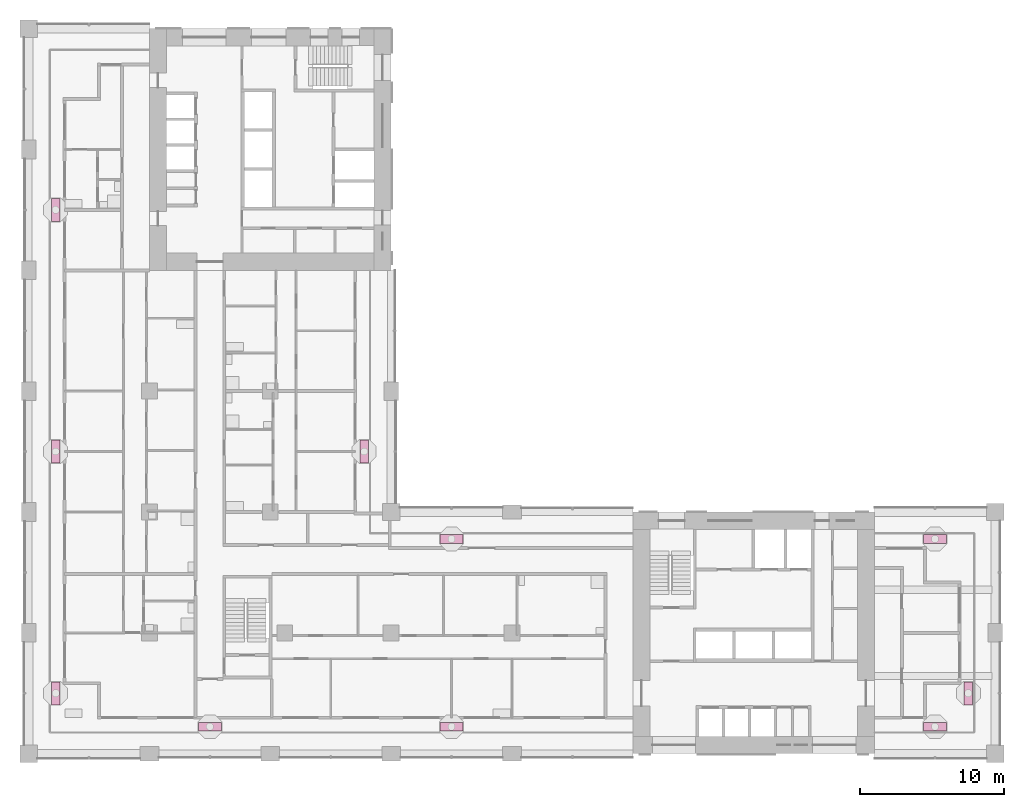
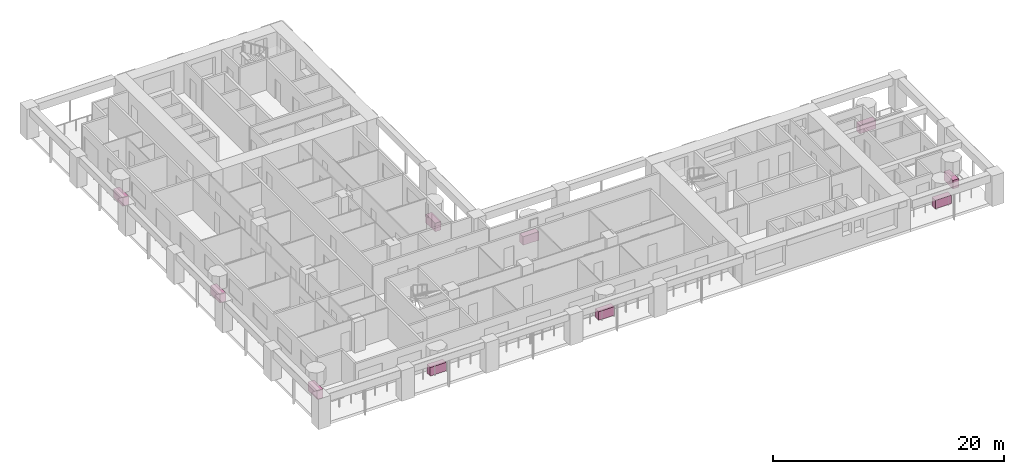
# One storey, part 17 of 18: 10 furniture elements.
"""IFC4 building model written with IfcOpenShell, lengths in metres."""

import ifcopenshell
import ifcopenshell.guid

model = None  # the IFC model being written
_history = None  # IfcOwnerHistory: only IFC2X3 demands one
_inside = {}  # id of a spatial element -> (the spatial element, [elements in it])
_under = {}  # id of a project, library or spatial element -> (it, [spatial elements below it])
_declared = {}  # id of a project -> (the project, [libraries it declares])
_typed = {}  # id of a type object -> (the type object, [elements of that type])
_made_of = {}  # id of a material, layer set ... -> (it, [elements and type objects made of it])


def new_model(schema):
    """Start an empty IFC model of exactly this schema.

    Asked for "IFC4X3", IfcOpenShell would pick the latest addendum, in which some entities
    have other attributes; the version numbers below select the first issue.
    IFC2X3 requires an IfcOwnerHistory on every rooted entity: one is made here for all.
    """
    global model, _history
    if schema == "IFC4X3":
        model = ifcopenshell.file(schema_version=(4, 3, 0, 0))
    else:
        model = ifcopenshell.file(schema=schema)
    _inside.clear()
    _under.clear()
    _declared.clear()
    _typed.clear()
    _made_of.clear()
    _history = None
    if model.schema == "IFC2X3":
        org = make("IfcOrganization", Name="unknown")
        user = make(
            "IfcPersonAndOrganization",
            ThePerson=make("IfcPerson", FamilyName="unknown"),
            TheOrganization=org,
        )
        app = make(
            "IfcApplication",
            ApplicationDeveloper=org,
            Version="unknown",
            ApplicationFullName="unknown",
            ApplicationIdentifier="unknown",
        )
        _history = make(
            "IfcOwnerHistory",
            OwningUser=user,
            OwningApplication=app,
            ChangeAction="ADDED",
            CreationDate=0,
        )
    return model


def make(cls, **values):
    """One entity of the class cls with the attributes given. An attribute that is None is left unset."""
    return model.create_entity(
        cls, **{name: value for name, value in values.items() if value is not None}
    )


def rooted(cls, **values):
    """An entity with a GlobalId (a new one), such as an element, a storey or a relation."""
    return make(cls, GlobalId=ifcopenshell.guid.new(), OwnerHistory=_history, **values)


def si_unit(unit_type, name, prefix=None):
    """IfcSIUnit, for example si_unit("LENGTHUNIT", "METRE", prefix="MILLI")."""
    return make("IfcSIUnit", UnitType=unit_type, Prefix=prefix, Name=name)


def assignment(units):
    """IfcUnitAssignment: the units of a project."""
    return None if units is None else make("IfcUnitAssignment", Units=units)


def point(xyz):
    """IfcCartesianPoint."""
    return None if xyz is None else make("IfcCartesianPoint", Coordinates=xyz)


def direction(xyz):
    """IfcDirection."""
    return None if xyz is None else make("IfcDirection", DirectionRatios=xyz)


def frame(location, z_axis=None, x_axis=None):
    """IfcAxis2Placement3D, a coordinate frame: its origin and axes. An axis left out is left unset."""
    return make(
        "IfcAxis2Placement3D",
        Location=point(location),
        Axis=direction(z_axis),
        RefDirection=direction(x_axis),
    )


def frame_2d(location, x_axis=None):
    """IfcAxis2Placement2D, a coordinate frame in the plane: its origin and x axis."""
    return make(
        "IfcAxis2Placement2D", Location=point(location), RefDirection=direction(x_axis)
    )


def origin():
    """The frame at (0, 0, 0) with its axes left unset."""
    return frame((0.0, 0.0, 0.0))


def origin_2d():
    """The frame at (0, 0) in the plane with its x axis left unset."""
    return frame_2d((0.0, 0.0))


def place(relative_to, where):
    """IfcLocalPlacement: puts the frame where relative to a parent placement (None: the world)."""
    return make(
        "IfcLocalPlacement", PlacementRelTo=relative_to, RelativePlacement=where
    )


def context(
    kind, dimensions, precision=None, world=None, true_north=None, identifier=None
):
    """IfcGeometricRepresentationContext, for example the 3D "Model" context."""
    return make(
        "IfcGeometricRepresentationContext",
        ContextIdentifier=identifier,
        ContextType=kind,
        CoordinateSpaceDimension=dimensions,
        Precision=precision,
        WorldCoordinateSystem=world,
        TrueNorth=true_north,
    )


def subcontext(parent, identifier, kind, view, scale=None):
    """IfcGeometricRepresentationSubContext, for example "Body" below "Model"."""
    return make(
        "IfcGeometricRepresentationSubContext",
        ContextIdentifier=identifier,
        ContextType=kind,
        ParentContext=parent,
        TargetScale=scale,
        TargetView=view,
    )


def project(units=None, contexts=None):
    """IfcProject with its units and contexts."""
    return rooted(
        "IfcProject",
        Name="project",
        RepresentationContexts=contexts,
        UnitsInContext=assignment(units),
    )


def spatial(cls, under=None, at=None, **own):
    """A site, building, storey or space (cls), placed at a placement, below another one or the project."""
    s = rooted(cls, ObjectPlacement=at, **own)
    if under is not None:
        _under.setdefault(under.id(), (under, []))[1].append(s)
    return s


def profile(cls, at=None, kind="AREA", **sizes):
    """A parametric profile (cls). Its sizes go by their IFC names, for example OverallWidth=200.0."""
    return make(cls, ProfileType=kind, Position=at, **sizes)


def rectangle(**sizes):
    """IfcRectangleProfileDef."""
    return profile("IfcRectangleProfileDef", **sizes)


def extrude(swept, where, along, depth):
    """IfcExtrudedAreaSolid: the profile swept, set in the frame where, extruded along a direction by depth."""
    return make(
        "IfcExtrudedAreaSolid",
        SweptArea=swept,
        Position=where,
        ExtrudedDirection=direction(along),
        Depth=depth,
    )


def shape(context_of_items, identifier, shape_type, items):
    """IfcShapeRepresentation: the items that make up one representation, for example the "Body"."""
    return make(
        "IfcShapeRepresentation",
        ContextOfItems=context_of_items,
        RepresentationIdentifier=identifier,
        RepresentationType=shape_type,
        Items=items,
    )


def material(Name=None, Category=None):
    """IfcMaterial."""
    return make("IfcMaterial", Name=Name, Category=Category)


def made_of(thing, what):
    """Note that an element or type object is made of a material, layer set ...; save() writes the relation."""
    if what is not None:
        _made_of.setdefault(what.id(), (what, []))[1].append(thing)
    return thing


def element(
    cls,
    number,
    at=None,
    inside=None,
    cuts=None,
    type_object=None,
    material=None,
    context=None,
    identifier="Body",
    shape_type=None,
    held_by="IfcProductDefinitionShape",
    body=None,
    shapes=None,
    **own,
):
    """One element of the class cls, such as IfcWall. Its Tag is "e" and its number.

    at: its placement. inside: the storey or other place that contains it. cuts: it is an
    opening in that element (IfcRelVoidsElement). A single representation is given by context,
    identifier, shape_type and body (its items); several are given by shapes. held_by: the class
    of the entity that holds the representations. save() writes the other relations.
    """
    e = rooted(cls, Tag="e%d" % number, ObjectPlacement=at, **own)
    if body is not None:
        shapes = [shape(context, identifier, shape_type, body)]
    if shapes is not None:
        e.Representation = make(held_by, Representations=shapes)
    if inside is not None:
        _inside.setdefault(inside.id(), (inside, []))[1].append(e)
    if cuts is not None:
        rooted(
            "IfcRelVoidsElement", RelatingBuildingElement=cuts, RelatedOpeningElement=e
        )
    if type_object is not None:
        _typed.setdefault(type_object.id(), (type_object, []))[1].append(e)
    return made_of(e, material)


def aggregate(whole, parts):
    """IfcRelAggregates: a whole, such as a stair, and the parts it consists of."""
    return rooted("IfcRelAggregates", RelatingObject=whole, RelatedObjects=parts)


def save(model, path):
    """Write the relations noted so far, then the file.

    IfcRelAggregates (storeys below a building ...), IfcRelContainedInSpatialStructure (elements
    in a storey), IfcRelDefinesByType, IfcRelAssociatesMaterial and IfcRelDeclares: one each for
    every whole, place, type object, material and project.
    """
    for whole, parts in _under.values():
        aggregate(whole, parts)
    for where, things in _inside.values():
        rooted(
            "IfcRelContainedInSpatialStructure",
            RelatedElements=things,
            RelatingStructure=where,
        )
    for kind, things in _typed.values():
        rooted("IfcRelDefinesByType", RelatedObjects=things, RelatingType=kind)
    for what, things in _made_of.values():
        rooted("IfcRelAssociatesMaterial", RelatedObjects=things, RelatingMaterial=what)
    for by, libraries in _declared.values():
        rooted("IfcRelDeclares", RelatingContext=by, RelatedDefinitions=libraries)
    model.write(path)


model = new_model("IFC4")

# Units and contexts
model_context = context("Model", 3, precision=1e-05, world=origin(), true_north=direction((0.0, 1.0)))
body_context = subcontext(model_context, "Body", "Model", "MODEL_VIEW")
ifc_project = project(units=[si_unit("LENGTHUNIT", "METRE"), si_unit("AREAUNIT", "SQUARE_METRE"), si_unit("VOLUMEUNIT", "CUBIC_METRE"), si_unit("PLANEANGLEUNIT", "RADIAN"), si_unit("MASSUNIT", "GRAM", prefix="KILO")], contexts=[model_context])

# Site, building, storey
site_placement = place(None, origin())
site = spatial("IfcSite", under=ifc_project, at=site_placement, CompositionType="ELEMENT")
building_placement = place(site_placement, origin())
building = spatial("IfcBuilding", under=site, at=building_placement, Name="Vermilion Gate Residences", CompositionType="ELEMENT")
storey_placement = place(building_placement, frame((0.0, 0.0, 84.699951171875)))
storey = spatial("IfcBuildingStorey", under=building, at=storey_placement, Name="L20", CompositionType="ELEMENT", Elevation=84.699951171875)

# Furniture
ifc_material = material(Name="Terracotta planter", Category="masonry")
for number, where, z_axis, x_axis, name in (
    (1, (12.60009765625, 10.27490234375, 0.0), (0.0, 0.0, 1.0), (1.0, 0.0, 0.0), "PLANTER"),
    (2, (29.39990234375, 10.27490234375, 0.0), (0.0, 0.0, 1.0), (1.0, 0.0, 0.0), "PLANTER"),
    (3, (63.0, 10.27490234375, 0.0), (0.0, 0.0, 1.0), (1.0, 0.0, 0.0), "PLANTER"),
    (4, (65.324951171875, 12.60009765625, 0.0), (0.0, 0.0, 1.0), (0.0, 1.0, 0.0), "PLANTER"),
    (5, (29.39990234375, 23.324951171875, 0.0), (0.0, 0.0, 1.0), (-1.0, 0.0, 0.0), "PLANTER"),
    (6, (63.0, 23.324951171875, 0.0), (0.0, 0.0, 1.0), (-1.0, 0.0, 0.0), "PLANTER"),
    (7, (23.324951171875, 29.39990234375, 0.0), (0.0, 0.0, 1.0), (0.0, 1.0, 0.0), "PLANTER"),
    (8, (1.875, 12.60009765625, 0.0), (0.0, 0.0, 1.0), (0.0, -1.0, 0.0), "PLANTER"),
    (9, (1.875, 29.39990234375, 0.0), (0.0, 0.0, 1.0), (0.0, -1.0, 0.0), "PLANTER"),
    (10, (1.875, 46.199951171875, 0.0), (0.0, 0.0, 1.0), (0.0, -1.0, 0.0), "PLANTER"),
):
    element("IfcFurniture", number, at=place(storey_placement, frame(where, z_axis=z_axis, x_axis=x_axis)), inside=storey, material=ifc_material, Name=name, ObjectType="PLANTER", PredefinedType="USERDEFINED", context=body_context, shape_type="SweptSolid", body=[
        extrude(rectangle(XDim=1.60009765625, YDim=0.60009765625, at=origin_2d()), origin(), (0.0, 0.0, 1.0), 0.89990234375),
    ])

save(model, "model.ifc")
